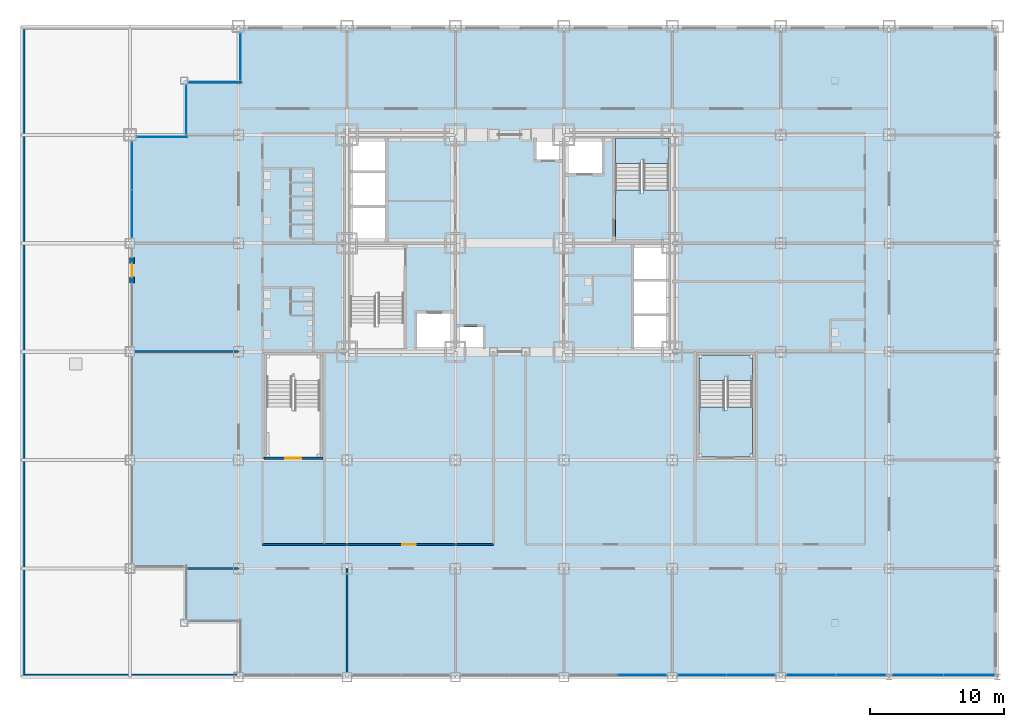
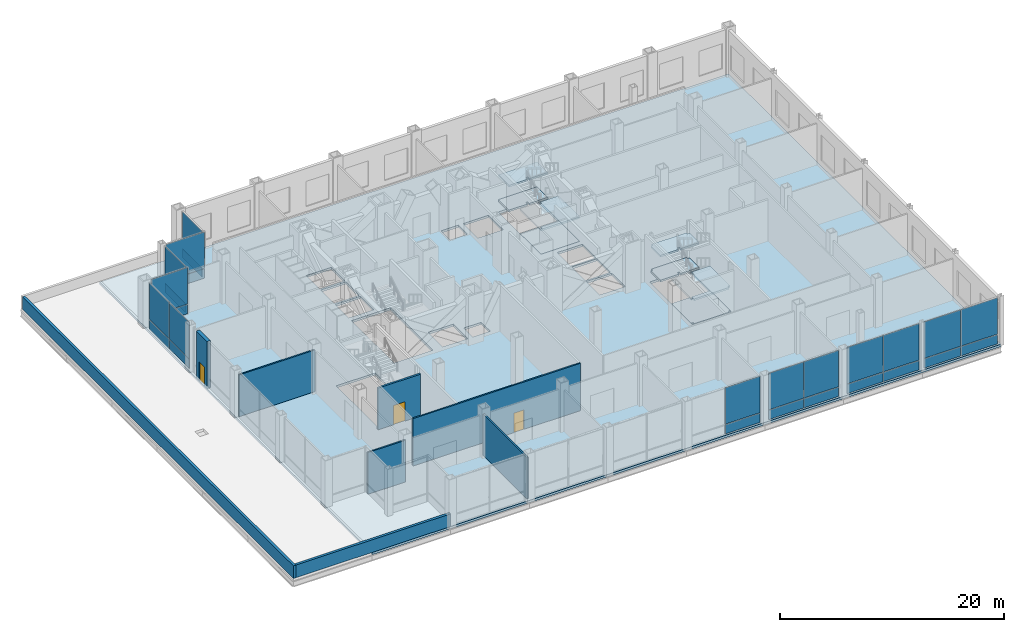
# One storey, part 18 of 26: 26 plates, 9 slabs, 8 walls, 3 doors, 3 openings, 11 elements without a shape of their own.
"""IFC4 building model written with IfcOpenShell, lengths in metres."""

from ifc_helpers import new_model, si_unit, direction, frame, frame_2d, origin, origin_2d, place, context, subcontext, project, spatial, polyline, rectangle, outline, extrude, material, layer, layer_set, type_object, element, fill, aggregate, save


model = new_model("IFC4")

# Units and contexts
model_context = context("Model", 3, precision=1e-05, world=origin(), true_north=direction((0.0, 1.0)))
body_context = subcontext(model_context, "Body", "Model", "MODEL_VIEW")
ifc_project = project(units=[si_unit("LENGTHUNIT", "METRE"), si_unit("AREAUNIT", "SQUARE_METRE"), si_unit("VOLUMEUNIT", "CUBIC_METRE"), si_unit("PLANEANGLEUNIT", "RADIAN"), si_unit("MASSUNIT", "GRAM", prefix="KILO")], contexts=[model_context])

# Site, building, storey
site_placement = place(None, origin())
site = spatial("IfcSite", under=ifc_project, at=site_placement, CompositionType="ELEMENT")
building_placement = place(site_placement, origin())
building = spatial("IfcBuilding", under=site, at=building_placement, Name="Kopane Lantern Tower", CompositionType="ELEMENT")
storey_placement = place(building_placement, frame((0.0, 0.0, 16.800048828125)))
storey = spatial("IfcBuildingStorey", under=building, at=storey_placement, Name="L03", CompositionType="ELEMENT", Elevation=16.800048828125)

# Curtain wall, plates
ifc_material_1 = material(Name="Aluminium and clear glass", Category="aluminium")
curtain_wall_type = type_object("IfcCurtainWallType", Name="CURTAIN WALL CW2 PODIUM UPPER", PredefinedType="USERDEFINED", material=ifc_material_1)
curtain_wall_1_placement = place(storey_placement, origin())
curtain_wall_1 = element("IfcCurtainWall", 1, at=curtain_wall_1_placement, inside=storey, type_object=curtain_wall_type, Name="Curtain wall CW2 S L03", ObjectType="CURTAIN WALL", PredefinedType="USERDEFINED")
ifc_material_2 = material(Name="Insulated clear glass unit", Category="glass")
ifc_layer_1 = layer(ifc_material_2, 0.030029296875)
ifc_layer_set_1 = layer_set([ifc_layer_1], Name="CURTAIN PANEL CW2-P 30")
plate_type = type_object("IfcPlateType", Name="CURTAIN PANEL CW2-P 30", PredefinedType="CURTAIN_PANEL", material=ifc_layer_set_1)
plate_1_placement = place(storey_placement, frame((38.27001953125, 0.14990234375, 0.06005859375), z_axis=(0.0, 0.0, 1.0), x_axis=(1.0, 0.0, 0.0)))
plate_1 = element("IfcPlate", 2, at=plate_1_placement, type_object=plate_type, Name="CW2 panel 2.1", PredefinedType="CURTAIN_PANEL", context=body_context, shape_type="SweptSolid", body=[
    extrude(rectangle(XDim=3.580078125, YDim=0.030029296875, at=origin_2d()), origin(), (0.0, 0.0, 1.0), 1.010009765625),
])
plate_2_placement = place(storey_placement, frame((38.27001953125, 0.14990234375, 1.1298828125), z_axis=(0.0, 0.0, 1.0), x_axis=(1.0, 0.0, 0.0)))
plate_2 = element("IfcPlate", 3, at=plate_2_placement, type_object=plate_type, Name="CW2 panel 2.2", PredefinedType="CURTAIN_PANEL", context=body_context, shape_type="SweptSolid", body=[
    extrude(rectangle(XDim=3.580078125, YDim=0.030029296875, at=origin_2d()), origin(), (0.0, 0.0, 1.0), 3.9599609375),
])
aggregate(curtain_wall_1, [plate_1, plate_2])

curtain_wall_2_placement = place(storey_placement, origin())
curtain_wall_2 = element("IfcCurtainWall", 4, at=curtain_wall_2_placement, inside=storey, type_object=curtain_wall_type, Name="Curtain wall CW2 S L03", ObjectType="CURTAIN WALL", PredefinedType="USERDEFINED")
plate_3_placement = place(storey_placement, frame((42.72998046875, 0.14990234375, 0.06005859375), z_axis=(0.0, 0.0, 1.0), x_axis=(1.0, 0.0, 0.0)))
plate_3 = element("IfcPlate", 5, at=plate_3_placement, type_object=plate_type, Name="CW2 panel 1.1", PredefinedType="CURTAIN_PANEL", context=body_context, shape_type="SweptSolid", body=[
    extrude(rectangle(XDim=3.580078125, YDim=0.030029296875, at=origin_2d()), origin(), (0.0, 0.0, 1.0), 1.010009765625),
])
plate_4_placement = place(storey_placement, frame((42.72998046875, 0.14990234375, 1.1298828125), z_axis=(0.0, 0.0, 1.0), x_axis=(1.0, 0.0, 0.0)))
plate_4 = element("IfcPlate", 6, at=plate_4_placement, type_object=plate_type, Name="CW2 panel 1.2", PredefinedType="CURTAIN_PANEL", context=body_context, shape_type="SweptSolid", body=[
    extrude(rectangle(XDim=3.580078125, YDim=0.030029296875, at=origin_2d()), origin(), (0.0, 0.0, 1.0), 3.9599609375),
])
plate_5_placement = place(storey_placement, frame((46.3701171875, 0.14990234375, 0.06005859375), z_axis=(0.0, 0.0, 1.0), x_axis=(1.0, 0.0, 0.0)))
plate_5 = element("IfcPlate", 7, at=plate_5_placement, type_object=plate_type, Name="CW2 panel 2.1", PredefinedType="CURTAIN_PANEL", context=body_context, shape_type="SweptSolid", body=[
    extrude(rectangle(XDim=3.580078125, YDim=0.030029296875, at=origin_2d()), origin(), (0.0, 0.0, 1.0), 1.010009765625),
])
plate_6_placement = place(storey_placement, frame((46.3701171875, 0.14990234375, 1.1298828125), z_axis=(0.0, 0.0, 1.0), x_axis=(1.0, 0.0, 0.0)))
plate_6 = element("IfcPlate", 8, at=plate_6_placement, type_object=plate_type, Name="CW2 panel 2.2", PredefinedType="CURTAIN_PANEL", context=body_context, shape_type="SweptSolid", body=[
    extrude(rectangle(XDim=3.580078125, YDim=0.030029296875, at=origin_2d()), origin(), (0.0, 0.0, 1.0), 3.9599609375),
])
aggregate(curtain_wall_2, [plate_3, plate_4, plate_5, plate_6])

curtain_wall_3_placement = place(storey_placement, origin())
curtain_wall_3 = element("IfcCurtainWall", 9, at=curtain_wall_3_placement, inside=storey, type_object=curtain_wall_type, Name="Curtain wall CW2 S L03", ObjectType="CURTAIN WALL", PredefinedType="USERDEFINED")
plate_7_placement = place(storey_placement, frame((50.873291015625, 0.14990234375, 0.06005859375), z_axis=(0.0, 0.0, 1.0), x_axis=(1.0, 0.0, 0.0)))
plate_7 = element("IfcPlate", 10, at=plate_7_placement, type_object=plate_type, Name="CW2 panel 1.1", PredefinedType="CURTAIN_PANEL", context=body_context, shape_type="SweptSolid", body=[
    extrude(rectangle(XDim=3.666748046875, YDim=0.030029296875, at=origin_2d()), origin(), (0.0, 0.0, 1.0), 1.010009765625),
])
plate_8_placement = place(storey_placement, frame((50.873291015625, 0.14990234375, 1.1298828125), z_axis=(0.0, 0.0, 1.0), x_axis=(1.0, 0.0, 0.0)))
plate_8 = element("IfcPlate", 11, at=plate_8_placement, type_object=plate_type, Name="CW2 panel 1.2", PredefinedType="CURTAIN_PANEL", context=body_context, shape_type="SweptSolid", body=[
    extrude(rectangle(XDim=3.666748046875, YDim=0.030029296875, at=origin_2d()), origin(), (0.0, 0.0, 1.0), 3.9599609375),
])
plate_9_placement = place(storey_placement, frame((54.60009765625, 0.14990234375, 0.06005859375), z_axis=(0.0, 0.0, 1.0), x_axis=(1.0, 0.0, 0.0)))
plate_9 = element("IfcPlate", 12, at=plate_9_placement, type_object=plate_type, Name="CW2 panel 2.1", PredefinedType="CURTAIN_PANEL", context=body_context, shape_type="SweptSolid", body=[
    extrude(rectangle(XDim=3.666748046875, YDim=0.030029296875, at=origin_2d()), origin(), (0.0, 0.0, 1.0), 1.010009765625),
])
plate_10_placement = place(storey_placement, frame((54.60009765625, 0.14990234375, 1.1298828125), z_axis=(0.0, 0.0, 1.0), x_axis=(1.0, 0.0, 0.0)))
plate_10 = element("IfcPlate", 13, at=plate_10_placement, type_object=plate_type, Name="CW2 panel 2.2", PredefinedType="CURTAIN_PANEL", context=body_context, shape_type="SweptSolid", body=[
    extrude(rectangle(XDim=3.666748046875, YDim=0.030029296875, at=origin_2d()), origin(), (0.0, 0.0, 1.0), 3.9599609375),
])
aggregate(curtain_wall_3, [plate_7, plate_8, plate_9, plate_10])

curtain_wall_4_placement = place(storey_placement, origin())
curtain_wall_4 = element("IfcCurtainWall", 14, at=curtain_wall_4_placement, inside=storey, type_object=curtain_wall_type, Name="Curtain wall CW2 S L03", ObjectType="CURTAIN WALL", PredefinedType="USERDEFINED")
plate_11_placement = place(storey_placement, frame((58.84326171875, 0.14990234375, 0.06005859375), z_axis=(0.0, 0.0, 1.0), x_axis=(1.0, 0.0, 0.0)))
plate_11 = element("IfcPlate", 15, at=plate_11_placement, type_object=plate_type, Name="CW2 panel 1.1", PredefinedType="CURTAIN_PANEL", context=body_context, shape_type="SweptSolid", body=[
    extrude(rectangle(XDim=3.75341796875, YDim=0.030029296875, at=origin_2d()), origin(), (0.0, 0.0, 1.0), 1.010009765625),
])
plate_12_placement = place(storey_placement, frame((58.84326171875, 0.14990234375, 1.1298828125), z_axis=(0.0, 0.0, 1.0), x_axis=(1.0, 0.0, 0.0)))
plate_12 = element("IfcPlate", 16, at=plate_12_placement, type_object=plate_type, Name="CW2 panel 1.2", PredefinedType="CURTAIN_PANEL", context=body_context, shape_type="SweptSolid", body=[
    extrude(rectangle(XDim=3.75341796875, YDim=0.030029296875, at=origin_2d()), origin(), (0.0, 0.0, 1.0), 3.9599609375),
])
plate_13_placement = place(storey_placement, frame((62.65673828125, 0.14990234375, 0.06005859375), z_axis=(0.0, 0.0, 1.0), x_axis=(1.0, 0.0, 0.0)))
plate_13 = element("IfcPlate", 17, at=plate_13_placement, type_object=plate_type, Name="CW2 panel 2.1", PredefinedType="CURTAIN_PANEL", context=body_context, shape_type="SweptSolid", body=[
    extrude(rectangle(XDim=3.75341796875, YDim=0.030029296875, at=origin_2d()), origin(), (0.0, 0.0, 1.0), 1.010009765625),
])
plate_14_placement = place(storey_placement, frame((62.65673828125, 0.14990234375, 1.1298828125), z_axis=(0.0, 0.0, 1.0), x_axis=(1.0, 0.0, 0.0)))
plate_14 = element("IfcPlate", 18, at=plate_14_placement, type_object=plate_type, Name="CW2 panel 2.2", PredefinedType="CURTAIN_PANEL", context=body_context, shape_type="SweptSolid", body=[
    extrude(rectangle(XDim=3.75341796875, YDim=0.030029296875, at=origin_2d()), origin(), (0.0, 0.0, 1.0), 3.9599609375),
])
aggregate(curtain_wall_4, [plate_11, plate_12, plate_13, plate_14])

curtain_wall_5_placement = place(storey_placement, origin())
curtain_wall_5 = element("IfcCurtainWall", 19, at=curtain_wall_5_placement, inside=storey, type_object=curtain_wall_type, Name="Curtain wall CW2 W L03", ObjectType="CURTAIN WALL", PredefinedType="USERDEFINED")
plate_15_placement = place(storey_placement, frame((8.25, 46.3349609375, 0.06005859375), z_axis=(0.0, 0.0, 1.0), x_axis=(0.0, -1.0, 0.0)))
plate_15 = element("IfcPlate", 20, at=plate_15_placement, type_object=plate_type, Name="CW2 panel 1.1", PredefinedType="CURTAIN_PANEL", context=body_context, shape_type="SweptSolid", body=[
    extrude(rectangle(XDim=3.449951171875, YDim=0.030029296875, at=origin_2d()), origin(), (0.0, 0.0, 1.0), 1.010009765625),
])
plate_16_placement = place(storey_placement, frame((8.25, 46.3349609375, 1.1298828125), z_axis=(0.0, 0.0, 1.0), x_axis=(0.0, -1.0, 0.0)))
plate_16 = element("IfcPlate", 21, at=plate_16_placement, type_object=plate_type, Name="CW2 panel 1.2", PredefinedType="CURTAIN_PANEL", context=body_context, shape_type="SweptSolid", body=[
    extrude(rectangle(XDim=3.449951171875, YDim=0.030029296875, at=origin_2d()), origin(), (0.0, 0.0, 1.0), 3.9599609375),
])
aggregate(curtain_wall_5, [plate_15, plate_16])

curtain_wall_6_placement = place(storey_placement, origin())
curtain_wall_6 = element("IfcCurtainWall", 22, at=curtain_wall_6_placement, inside=storey, type_object=curtain_wall_type, Name="Curtain wall CW2 N L03", ObjectType="CURTAIN WALL", PredefinedType="USERDEFINED")
plate_17_placement = place(storey_placement, frame((6.364990234375, 44.39990234375, 0.06005859375), z_axis=(0.0, 0.0, 1.0), x_axis=(-1.0, 0.0, 0.0)))
plate_17 = element("IfcPlate", 23, at=plate_17_placement, type_object=plate_type, Name="CW2 panel 1.1", PredefinedType="CURTAIN_PANEL", context=body_context, shape_type="SweptSolid", body=[
    extrude(rectangle(XDim=3.949951171875, YDim=0.030029296875, at=origin_2d()), origin(), (0.0, 0.0, 1.0), 1.010009765625),
])
plate_18_placement = place(storey_placement, frame((6.364990234375, 44.39990234375, 1.1298828125), z_axis=(0.0, 0.0, 1.0), x_axis=(-1.0, 0.0, 0.0)))
plate_18 = element("IfcPlate", 24, at=plate_18_placement, type_object=plate_type, Name="CW2 panel 1.2", PredefinedType="CURTAIN_PANEL", context=body_context, shape_type="SweptSolid", body=[
    extrude(rectangle(XDim=3.949951171875, YDim=0.030029296875, at=origin_2d()), origin(), (0.0, 0.0, 1.0), 3.9599609375),
])
aggregate(curtain_wall_6, [plate_17, plate_18])

curtain_wall_7_placement = place(storey_placement, origin())
curtain_wall_7 = element("IfcCurtainWall", 25, at=curtain_wall_7_placement, inside=storey, type_object=curtain_wall_type, Name="Curtain wall CW2 W L03", ObjectType="CURTAIN WALL", PredefinedType="USERDEFINED")
plate_19_placement = place(storey_placement, frame((4.199951171875, 42.375, 0.06005859375), z_axis=(0.0, 0.0, 1.0), x_axis=(0.0, -1.0, 0.0)))
plate_19 = element("IfcPlate", 26, at=plate_19_placement, type_object=plate_type, Name="CW2 panel 1.1", PredefinedType="CURTAIN_PANEL", context=body_context, shape_type="SweptSolid", body=[
    extrude(rectangle(XDim=3.6298828125, YDim=0.030029296875, at=origin_2d()), origin(), (0.0, 0.0, 1.0), 1.010009765625),
])
plate_20_placement = place(storey_placement, frame((4.199951171875, 42.375, 1.1298828125), z_axis=(0.0, 0.0, 1.0), x_axis=(0.0, -1.0, 0.0)))
plate_20 = element("IfcPlate", 27, at=plate_20_placement, type_object=plate_type, Name="CW2 panel 1.2", PredefinedType="CURTAIN_PANEL", context=body_context, shape_type="SweptSolid", body=[
    extrude(rectangle(XDim=3.6298828125, YDim=0.030029296875, at=origin_2d()), origin(), (0.0, 0.0, 1.0), 3.9599609375),
])
aggregate(curtain_wall_7, [plate_19, plate_20])

curtain_wall_8_placement = place(storey_placement, origin())
curtain_wall_8 = element("IfcCurtainWall", 28, at=curtain_wall_8_placement, inside=storey, type_object=curtain_wall_type, Name="Curtain wall CW2 N L03", ObjectType="CURTAIN WALL", PredefinedType="USERDEFINED")
plate_21_placement = place(storey_placement, frame((2.4150390625, 40.35009765625, 0.06005859375), z_axis=(0.0, 0.0, 1.0), x_axis=(-1.0, 0.0, 0.0)))
plate_21 = element("IfcPlate", 29, at=plate_21_placement, type_object=plate_type, Name="CW2 panel 1.1", PredefinedType="CURTAIN_PANEL", context=body_context, shape_type="SweptSolid", body=[
    extrude(rectangle(XDim=3.75, YDim=0.030029296875, at=origin_2d()), origin(), (0.0, 0.0, 1.0), 1.010009765625),
])
plate_22_placement = place(storey_placement, frame((2.4150390625, 40.35009765625, 1.1298828125), z_axis=(0.0, 0.0, 1.0), x_axis=(-1.0, 0.0, 0.0)))
plate_22 = element("IfcPlate", 30, at=plate_22_placement, type_object=plate_type, Name="CW2 panel 1.2", PredefinedType="CURTAIN_PANEL", context=body_context, shape_type="SweptSolid", body=[
    extrude(rectangle(XDim=3.75, YDim=0.030029296875, at=origin_2d()), origin(), (0.0, 0.0, 1.0), 3.9599609375),
])
aggregate(curtain_wall_8, [plate_21, plate_22])

curtain_wall_9_placement = place(storey_placement, origin())
curtain_wall_9 = element("IfcCurtainWall", 31, at=curtain_wall_9_placement, inside=storey, type_object=curtain_wall_type, Name="Curtain wall CW2 W L03", ObjectType="CURTAIN WALL", PredefinedType="USERDEFINED")
plate_23_placement = place(storey_placement, frame((0.14990234375, 38.195068359375, 0.06005859375), z_axis=(0.0, 0.0, 1.0), x_axis=(0.0, -1.0, 0.0)))
plate_23 = element("IfcPlate", 32, at=plate_23_placement, type_object=plate_type, Name="CW2 panel 1.1", PredefinedType="CURTAIN_PANEL", context=body_context, shape_type="SweptSolid", body=[
    extrude(rectangle(XDim=3.530029296875, YDim=0.030029296875, at=origin_2d()), origin(), (0.0, 0.0, 1.0), 1.010009765625),
])
plate_24_placement = place(storey_placement, frame((0.14990234375, 38.195068359375, 1.1298828125), z_axis=(0.0, 0.0, 1.0), x_axis=(0.0, -1.0, 0.0)))
plate_24 = element("IfcPlate", 33, at=plate_24_placement, type_object=plate_type, Name="CW2 panel 1.2", PredefinedType="CURTAIN_PANEL", context=body_context, shape_type="SweptSolid", body=[
    extrude(rectangle(XDim=3.530029296875, YDim=0.030029296875, at=origin_2d()), origin(), (0.0, 0.0, 1.0), 3.9599609375),
])
plate_25_placement = place(storey_placement, frame((0.14990234375, 34.60498046875, 0.06005859375), z_axis=(0.0, 0.0, 1.0), x_axis=(0.0, -1.0, 0.0)))
plate_25 = element("IfcPlate", 34, at=plate_25_placement, type_object=plate_type, Name="CW2 panel 2.1", PredefinedType="CURTAIN_PANEL", context=body_context, shape_type="SweptSolid", body=[
    extrude(rectangle(XDim=3.530029296875, YDim=0.030029296875, at=origin_2d()), origin(), (0.0, 0.0, 1.0), 1.010009765625),
])
plate_26_placement = place(storey_placement, frame((0.14990234375, 34.60498046875, 1.1298828125), z_axis=(0.0, 0.0, 1.0), x_axis=(0.0, -1.0, 0.0)))
plate_26 = element("IfcPlate", 35, at=plate_26_placement, type_object=plate_type, Name="CW2 panel 2.2", PredefinedType="CURTAIN_PANEL", context=body_context, shape_type="SweptSolid", body=[
    extrude(rectangle(XDim=3.530029296875, YDim=0.030029296875, at=origin_2d()), origin(), (0.0, 0.0, 1.0), 3.9599609375),
])
aggregate(curtain_wall_9, [plate_23, plate_24, plate_25, plate_26])

# Slab
ifc_material_3 = material(Name="Concrete C40/50", Category="concrete")
ifc_layer_2 = layer(ifc_material_3, 0.25)
ifc_layer_set_2 = layer_set([ifc_layer_2], Name="SLAB 250 COMPOSITE")
slab_type_1 = type_object("IfcSlabType", Name="SLAB 250 COMPOSITE", PredefinedType="FLOOR", material=ifc_layer_set_2)
slab_1_placement = place(storey_placement, frame((0.0, 0.0, -0.25)))
element("IfcSlab", 36, at=slab_1_placement, inside=storey, type_object=slab_type_1, Name="Floor slab L03", PredefinedType="FLOOR", context=body_context, shape_type="SweptSolid", body=[
    extrude(outline(polyline([(64.800048828125, 0.0), (64.800048828125, 48.60009765625), (0.0, 48.60009765625), (0.0, 0.0), (64.800048828125, 0.0)]), holes=[polyline([(16.449951171875, 24.550048828125), (20.449951171875, 24.550048828125), (20.449951171875, 32.14990234375), (16.449951171875, 32.14990234375), (16.449951171875, 24.550048828125)]), polyline([(36.25, 32.64990234375), (40.25, 32.64990234375), (40.25, 40.25), (36.25, 40.25), (36.25, 32.64990234375)]), polyline([(16.449951171875, 32.64990234375), (19.050048828125, 32.64990234375), (19.050048828125, 35.050048828125), (16.449951171875, 35.050048828125), (16.449951171875, 32.64990234375)]), polyline([(16.449951171875, 35.25), (19.050048828125, 35.25), (19.050048828125, 37.64990234375), (16.449951171875, 37.64990234375), (16.449951171875, 35.25)]), polyline([(16.449951171875, 37.85009765625), (19.050048828125, 37.85009765625), (19.050048828125, 40.25), (16.449951171875, 40.25), (16.449951171875, 37.85009765625)]), polyline([(37.64990234375, 24.550048828125), (40.25, 24.550048828125), (40.25, 26.949951171875), (37.64990234375, 26.949951171875), (37.64990234375, 24.550048828125)]), polyline([(37.64990234375, 27.14990234375), (40.25, 27.14990234375), (40.25, 29.550048828125), (37.64990234375, 29.550048828125), (37.64990234375, 27.14990234375)]), polyline([(37.64990234375, 29.75), (40.25, 29.75), (40.25, 32.14990234375), (37.64990234375, 32.14990234375), (37.64990234375, 29.75)]), polyline([(21.449951171875, 24.550048828125), (24.050048828125, 24.550048828125), (24.050048828125, 27.14990234375), (21.449951171875, 27.14990234375), (21.449951171875, 24.550048828125)]), polyline([(32.64990234375, 37.64990234375), (35.25, 37.64990234375), (35.25, 40.25), (32.64990234375, 40.25), (32.64990234375, 37.64990234375)]), polyline([(24.550048828125, 24.550048828125), (26.35009765625, 24.550048828125), (26.35009765625, 26.14990234375), (24.550048828125, 26.14990234375), (24.550048828125, 24.550048828125)]), polyline([(30.35009765625, 38.64990234375), (32.14990234375, 38.64990234375), (32.14990234375, 40.25), (30.35009765625, 40.25), (30.35009765625, 38.64990234375)]), polyline([(10.199951171875, 16.449951171875), (14.199951171875, 16.449951171875), (14.199951171875, 24.050048828125), (10.199951171875, 24.050048828125), (10.199951171875, 16.449951171875)]), polyline([(42.5, 16.449951171875), (46.5, 16.449951171875), (46.5, 24.050048828125), (42.5, 24.050048828125), (42.5, 16.449951171875)])]), origin(), (0.0, 0.0, 1.0), 0.25),
])

# Stair, slabs
ifc_material_4 = material(Name="Steel S355JR", Category="steel")
stair_type = type_object("IfcStairType", Name="EXIT STAIR 1900 HALF TURN", PredefinedType="HALF_TURN_STAIR", material=ifc_material_4)
stair_1_placement = place(storey_placement, origin())
stair_1 = element("IfcStair", 37, at=stair_1_placement, inside=storey, type_object=stair_type, Name="Exit stair ST2 L03", PredefinedType="HALF_TURN_STAIR")
ifc_material_5 = material(Name="Concrete C40/50", Category="concrete")
ifc_layer_3 = layer(ifc_material_5, 0.199951171875)
ifc_layer_set_3 = layer_set([ifc_layer_3], Name="STAIR LANDING 200")
slab_type_2 = type_object("IfcSlabType", Name="STAIR LANDING 200", PredefinedType="LANDING", material=ifc_layer_set_3)
slab_2_placement = place(storey_placement, frame((0.0, 0.0, -0.199951171875)))
slab_2 = element("IfcSlab", 38, at=slab_2_placement, type_object=slab_type_2, Name="ST2 landing 1", PredefinedType="LANDING", context=body_context, shape_type="SweptSolid", body=[
    extrude(outline(polyline([(40.25, 36.389892578125), (38.35009765625, 36.389892578125), (38.35009765625, 36.110107421875), (38.14990234375, 36.110107421875), (38.14990234375, 36.389892578125), (36.25, 36.389892578125), (36.25, 32.64990234375), (40.25, 32.64990234375), (40.25, 36.389892578125)])), origin(), (0.0, 0.0, 1.0), 0.199951171875),
])
slab_3_placement = place(storey_placement, frame((0.0, 0.0, 1.14990234375)))
slab_3 = element("IfcSlab", 39, at=slab_3_placement, type_object=slab_type_2, Name="ST2 landing 2", PredefinedType="LANDING", context=body_context, shape_type="SweptSolid", body=[
    extrude(outline(polyline([(38.14990234375, 38.6298828125), (38.35009765625, 38.6298828125), (38.35009765625, 38.35009765625), (40.25, 38.35009765625), (40.25, 40.25), (36.25, 40.25), (36.25, 38.35009765625), (38.14990234375, 38.35009765625), (38.14990234375, 38.6298828125)])), origin(), (0.0, 0.0, 1.0), 0.199951171875),
])
slab_4_placement = place(storey_placement, frame((0.0, 0.0, 2.5)))
slab_4 = element("IfcSlab", 40, at=slab_4_placement, type_object=slab_type_2, Name="ST2 landing 3", PredefinedType="LANDING", context=body_context, shape_type="SweptSolid", body=[
    extrude(outline(polyline([(40.25, 36.389892578125), (38.35009765625, 36.389892578125), (38.35009765625, 36.110107421875), (38.14990234375, 36.110107421875), (38.14990234375, 36.389892578125), (36.25, 36.389892578125), (36.25, 32.64990234375), (40.25, 32.64990234375), (40.25, 36.389892578125)])), origin(), (0.0, 0.0, 1.0), 0.199951171875),
])
slab_5_placement = place(storey_placement, frame((0.0, 0.0, 3.849853515625)))
slab_5 = element("IfcSlab", 41, at=slab_5_placement, type_object=slab_type_2, Name="ST2 landing 4", PredefinedType="LANDING", context=body_context, shape_type="SweptSolid", body=[
    extrude(outline(polyline([(38.14990234375, 38.6298828125), (38.35009765625, 38.6298828125), (38.35009765625, 38.35009765625), (40.25, 38.35009765625), (40.25, 40.25), (36.25, 40.25), (36.25, 38.35009765625), (38.14990234375, 38.35009765625), (38.14990234375, 38.6298828125)])), origin(), (0.0, 0.0, 1.0), 0.2001953125),
])
aggregate(stair_1, [slab_2, slab_3, slab_4, slab_5])

stair_2_placement = place(storey_placement, origin())
stair_2 = element("IfcStair", 42, at=stair_2_placement, inside=storey, type_object=stair_type, Name="Exit stair ST4 L03", PredefinedType="HALF_TURN_STAIR")
slab_6_placement = place(storey_placement, frame((0.0, 0.0, -0.199951171875)))
slab_6 = element("IfcSlab", 43, at=slab_6_placement, type_object=slab_type_2, Name="ST4 landing 1", PredefinedType="LANDING", context=body_context, shape_type="SweptSolid", body=[
    extrude(outline(polyline([(42.699951171875, 16.64990234375), (42.699951171875, 16.449951171875), (46.300048828125, 16.449951171875), (46.300048828125, 16.64990234375), (46.5, 16.64990234375), (46.5, 20.18994140625), (44.60009765625, 20.18994140625), (44.60009765625, 19.909912109375), (44.39990234375, 19.909912109375), (44.39990234375, 20.18994140625), (42.5, 20.18994140625), (42.5, 16.64990234375), (42.699951171875, 16.64990234375)])), origin(), (0.0, 0.0, 1.0), 0.199951171875),
])
slab_7_placement = place(storey_placement, frame((0.0, 0.0, 1.14990234375)))
slab_7 = element("IfcSlab", 44, at=slab_7_placement, type_object=slab_type_2, Name="ST4 landing 2", PredefinedType="LANDING", context=body_context, shape_type="SweptSolid", body=[
    extrude(outline(polyline([(42.699951171875, 23.85009765625), (42.5, 23.85009765625), (42.5, 22.14990234375), (44.39990234375, 22.14990234375), (44.39990234375, 22.429931640625), (44.60009765625, 22.429931640625), (44.60009765625, 22.14990234375), (46.5, 22.14990234375), (46.5, 23.85009765625), (46.300048828125, 23.85009765625), (46.300048828125, 24.050048828125), (42.699951171875, 24.050048828125), (42.699951171875, 23.85009765625)])), origin(), (0.0, 0.0, 1.0), 0.199951171875),
])
slab_8_placement = place(storey_placement, frame((0.0, 0.0, 2.5)))
slab_8 = element("IfcSlab", 45, at=slab_8_placement, type_object=slab_type_2, Name="ST4 landing 3", PredefinedType="LANDING", context=body_context, shape_type="SweptSolid", body=[
    extrude(outline(polyline([(42.699951171875, 16.64990234375), (42.699951171875, 16.449951171875), (46.300048828125, 16.449951171875), (46.300048828125, 16.64990234375), (46.5, 16.64990234375), (46.5, 20.18994140625), (44.60009765625, 20.18994140625), (44.60009765625, 19.909912109375), (44.39990234375, 19.909912109375), (44.39990234375, 20.18994140625), (42.5, 20.18994140625), (42.5, 16.64990234375), (42.699951171875, 16.64990234375)])), origin(), (0.0, 0.0, 1.0), 0.199951171875),
])
slab_9_placement = place(storey_placement, frame((0.0, 0.0, 3.849853515625)))
slab_9 = element("IfcSlab", 46, at=slab_9_placement, type_object=slab_type_2, Name="ST4 landing 4", PredefinedType="LANDING", context=body_context, shape_type="SweptSolid", body=[
    extrude(outline(polyline([(42.699951171875, 23.85009765625), (42.5, 23.85009765625), (42.5, 22.14990234375), (44.39990234375, 22.14990234375), (44.39990234375, 22.429931640625), (44.60009765625, 22.429931640625), (44.60009765625, 22.14990234375), (46.5, 22.14990234375), (46.5, 23.85009765625), (46.300048828125, 23.85009765625), (46.300048828125, 24.050048828125), (42.699951171875, 24.050048828125), (42.699951171875, 23.85009765625)])), origin(), (0.0, 0.0, 1.0), 0.2001953125),
])
aggregate(stair_2, [slab_6, slab_7, slab_8, slab_9])

# Wall, opening, door
ifc_material_6 = material(Name="Gypsum board on steel studs", Category="steel")
ifc_layer_4 = layer(ifc_material_6, 0.14990234375)
ifc_layer_set_4 = layer_set([ifc_layer_4], Name="CORRIDOR WALL 150 EI 60")
wall_type_1 = type_object("IfcWallType", Name="CORRIDOR WALL 150 EI 60", PredefinedType="PARTITIONING", material=ifc_layer_set_4)
wall_1_placement = place(storey_placement, frame((9.89990234375, 9.89990234375, 0.0), z_axis=(0.0, 0.0, 1.0), x_axis=(1.0, 0.0, 0.0)))
wall_1 = element("IfcWall", 47, at=wall_1_placement, inside=storey, type_object=wall_type_1, Name="Corridor Wall 150 Ei 60 L03", PredefinedType="PARTITIONING", context=body_context, shape_type="SweptSolid", body=[
    extrude(rectangle(XDim=17.239990234375, YDim=0.14990234375, at=frame_2d((8.6201171875, 0.0))), origin(), (0.0, 0.0, 1.0), 5.14990234375),
])
opening_1_placement = place(wall_1_placement, frame((10.425048828125, 0.0, 0.0)))
opening_1 = element("IfcOpeningElement", 48, at=opening_1_placement, cuts=wall_1, Name="Opening L03-010", PredefinedType="OPENING", context=body_context, shape_type="SweptSolid", body=[
    extrude(rectangle(XDim=1.0, YDim=2.10009765625, at=frame_2d((0.5, 1.050048828125))), frame((0.0, 0.0849609375, 0.0), z_axis=(0.0, -1.0, 0.0), x_axis=(1.0, 0.0, 0.0)), (0.0, 0.0, 1.0), 0.169921875),
])
ifc_material_7 = material(Name="Steel door set", Category="steel")
door_type_1 = type_object("IfcDoorType", Name="DOOR D5 1000x2100 FD60", OperationType="SINGLE_SWING_LEFT", PredefinedType="DOOR", material=ifc_material_7)
door_1_placement = place(opening_1_placement, origin())
door_1 = element("IfcDoor", 49, at=door_1_placement, inside=storey, type_object=door_type_1, Name="Door L03-010", OperationType="SINGLE_SWING_LEFT", OverallHeight=2.10009765625, OverallWidth=1.0, PredefinedType="DOOR", context=body_context, shape_type="SweptSolid", body=[
    extrude(rectangle(XDim=1.0, YDim=2.10009765625, at=frame_2d((0.5, 1.050048828125))), frame((0.0, 0.02490234375, 0.0), z_axis=(0.0, -1.0, 0.0), x_axis=(1.0, 0.0, 0.0)), (0.0, 0.0, 1.0), 0.050048828125),
])
fill(opening_1, door_1)

# Walls
ifc_material_8 = material(Name="Gypsum board on steel studs", Category="steel")
ifc_layer_5 = layer(ifc_material_8, 0.14990234375)
ifc_layer_set_5 = layer_set([ifc_layer_5], Name="DEMISING WALL 150 EI 60")
wall_type_2 = type_object("IfcWallType", Name="DEMISING WALL 150 EI 60", PredefinedType="PARTITIONING", material=ifc_layer_set_5)
wall_2_placement = place(storey_placement, frame((8.10009765625, 24.300048828125, 0.0), z_axis=(0.0, 0.0, 1.0), x_axis=(-1.0, 0.0, 0.0)))
element("IfcWall", 50, at=wall_2_placement, inside=storey, type_object=wall_type_2, Name="Demising Wall 150 Ei 60 L03", PredefinedType="PARTITIONING", context=body_context, shape_type="SweptSolid", body=[
    extrude(rectangle(XDim=7.800048828125, YDim=0.14990234375, at=frame_2d((3.89990234375, 0.0))), origin(), (0.0, 0.0, 1.0), 4.537841796875),
])
wall_3_placement = place(storey_placement, frame((4.218017578125, 8.10009765625, 0.0), z_axis=(0.0, 0.0, 1.0), x_axis=(1.0, 0.0, 0.0)))
element("IfcWall", 51, at=wall_3_placement, inside=storey, type_object=wall_type_2, Name="Demising Wall 150 Ei 60 L03", PredefinedType="PARTITIONING", context=body_context, shape_type="SweptSolid", body=[
    extrude(rectangle(XDim=3.882080078125, YDim=0.14990234375, at=frame_2d((1.94091796875, 0.0))), origin(), (0.0, 0.0, 1.0), 4.537841796875),
])
wall_4_placement = place(storey_placement, frame((16.199951171875, 8.10009765625, 0.0), z_axis=(0.0, 0.0, 1.0), x_axis=(0.0, -1.0, 0.0)))
element("IfcWall", 52, at=wall_4_placement, inside=storey, type_object=wall_type_2, Name="Demising Wall 150 Ei 60 L03", PredefinedType="PARTITIONING", context=body_context, shape_type="SweptSolid", body=[
    extrude(rectangle(XDim=7.800048828125, YDim=0.14990234375, at=frame_2d((3.89990234375, 0.0))), origin(), (0.0, 0.0, 1.0), 4.537841796875),
])

# Wall, opening, door
ifc_material_9 = material(Name="Terracotta rainscreen on light steel framing", Category="masonry")
ifc_layer_6 = layer(ifc_material_9, 0.35009765625)
ifc_layer_set_6 = layer_set([ifc_layer_6], Name="ENTRANCE PIER WALL EW2 300 TERRACOTTA")
wall_type_3 = type_object("IfcWallType", Name="ENTRANCE PIER WALL EW2 300 TERRACOTTA", PredefinedType="SOLIDWALL", material=ifc_layer_set_6)
wall_5_placement = place(storey_placement, frame((0.14990234375, 31.324951171875, 0.0), z_axis=(0.0, 0.0, 1.0), x_axis=(0.0, -1.0, 0.0)))
wall_5 = element("IfcWall", 53, at=wall_5_placement, inside=storey, type_object=wall_type_3, Name="Entrance wall W L03", PredefinedType="SOLIDWALL", context=body_context, shape_type="SweptSolid", body=[
    extrude(rectangle(XDim=1.89990234375, YDim=0.35009765625, at=frame_2d((0.949951171875, 0.0))), origin(), (0.0, 0.0, 1.0), 5.14990234375),
])
opening_2_placement = place(wall_5_placement, frame((0.449951171875, 0.0, 0.0)))
opening_2 = element("IfcOpeningElement", 54, at=opening_2_placement, cuts=wall_5, Name="Opening L03-E01", PredefinedType="OPENING", context=body_context, shape_type="SweptSolid", body=[
    extrude(rectangle(XDim=1.0, YDim=2.10009765625, at=frame_2d((0.5, 1.050048828125))), frame((0.0, 0.18505859375, 0.0), z_axis=(0.0, -1.0, 0.0), x_axis=(1.0, 0.0, 0.0)), (0.0, 0.0, 1.0), 0.3701171875),
])
ifc_material_10 = material(Name="Insulated steel door set", Category="steel")
door_type_2 = type_object("IfcDoorType", Name="ROOF ACCESS DOOR ED1021 1000x2100", OperationType="SINGLE_SWING_LEFT", PredefinedType="DOOR", material=ifc_material_10)
door_2_placement = place(opening_2_placement, origin())
door_2 = element("IfcDoor", 55, at=door_2_placement, inside=storey, type_object=door_type_2, Name="Roof access door L03-E01", OperationType="SINGLE_SWING_RIGHT", OverallHeight=2.10009765625, OverallWidth=1.0, PredefinedType="DOOR", context=body_context, shape_type="SweptSolid", body=[
    extrude(rectangle(XDim=1.0, YDim=2.10009765625, at=frame_2d((0.5, 1.050048828125))), frame((0.0, 0.02490234375, 0.0), z_axis=(0.0, -1.0, 0.0), x_axis=(1.0, 0.0, 0.0)), (0.0, 0.0, 1.0), 0.050048828125),
])
fill(opening_2, door_2)

# Walls
ifc_material_11 = material(Name="Terracotta rainscreen on light steel framing", Category="masonry")
ifc_layer_7 = layer(ifc_material_11, 0.25)
ifc_layer_set_7 = layer_set([ifc_layer_7], Name="PARAPET PW1 250 TERRACOTTA")
wall_type_4 = type_object("IfcWallType", Name="PARAPET PW1 250 TERRACOTTA", PredefinedType="PARAPET", material=ifc_layer_set_7)
wall_6_placement = place(storey_placement, frame((-7.97509765625, 48.35009765625, 0.0), z_axis=(0.0, 0.0, 1.0), x_axis=(0.0, -1.0, 0.0)))
element("IfcWall", 56, at=wall_6_placement, inside=storey, type_object=wall_type_4, Name="Parapet L03", PredefinedType="PARAPET", context=body_context, shape_type="SweptSolid", body=[
    extrude(rectangle(XDim=48.35009765625, YDim=0.25, at=frame_2d((24.175048828125, 0.0))), origin(), (0.0, 0.0, 1.0), 1.3798828125),
])
wall_7_placement = place(storey_placement, frame((-7.85009765625, 0.125, 0.0), z_axis=(0.0, 0.0, 1.0), x_axis=(1.0, 0.0, 0.0)))
element("IfcWall", 57, at=wall_7_placement, inside=storey, type_object=wall_type_4, Name="Parapet L03", PredefinedType="PARAPET", context=body_context, shape_type="SweptSolid", body=[
    extrude(rectangle(XDim=15.9501953125, YDim=0.25, at=frame_2d((7.97509765625, 0.0))), origin(), (0.0, 0.0, 1.0), 1.3798828125),
])

# Wall, opening, door
ifc_material_12 = material(Name="Gypsum shaft wall EI 120", Category="gypsum")
ifc_layer_8 = layer(ifc_material_12, 0.199951171875)
ifc_layer_set_8 = layer_set([ifc_layer_8], Name="SHAFT WALL 200 EI 120")
wall_type_5 = type_object("IfcWallType", Name="SHAFT WALL 200 EI 120", PredefinedType="SOLIDWALL", material=ifc_layer_set_8)
wall_8_placement = place(storey_placement, frame((10.0, 16.35009765625, 0.0), z_axis=(0.0, 0.0, 1.0), x_axis=(1.0, 0.0, 0.0)))
wall_8 = element("IfcWall", 58, at=wall_8_placement, inside=storey, type_object=wall_type_5, Name="Stair enclosure wall ST3 L03", PredefinedType="SOLIDWALL", context=body_context, shape_type="SweptSolid", body=[
    extrude(rectangle(XDim=4.39990234375, YDim=0.199951171875, at=frame_2d((2.199951171875, 0.0))), origin(), (0.0, 0.0, 1.0), 4.537841796875),
])
opening_3_placement = place(wall_8_placement, frame((1.60009765625, 0.0, 0.0)))
opening_3 = element("IfcOpeningElement", 59, at=opening_3_placement, cuts=wall_8, Name="Opening 03.SD3", PredefinedType="OPENING", context=body_context, shape_type="SweptSolid", body=[
    extrude(rectangle(XDim=1.199951171875, YDim=2.10009765625, at=frame_2d((0.60009765625, 1.050048828125))), frame((0.0, 0.10986328125, 0.0), z_axis=(0.0, -1.0, 0.0), x_axis=(1.0, 0.0, 0.0)), (0.0, 0.0, 1.0), 0.219970703125),
])
ifc_material_13 = material(Name="Steel door set", Category="steel")
door_type_3 = type_object("IfcDoorType", Name="STAIR DOOR 1200x2100 FD60S", OperationType="SINGLE_SWING_LEFT", PredefinedType="DOOR", material=ifc_material_13)
door_3_placement = place(opening_3_placement, origin())
door_3 = element("IfcDoor", 60, at=door_3_placement, inside=storey, type_object=door_type_3, Name="Stair door ST3 L03", OperationType="SINGLE_SWING_LEFT", OverallHeight=2.10009765625, OverallWidth=1.199951171875, PredefinedType="DOOR", context=body_context, shape_type="SweptSolid", body=[
    extrude(rectangle(XDim=1.199951171875, YDim=2.10009765625, at=frame_2d((0.60009765625, 1.050048828125))), frame((0.0, 0.02490234375, 0.0), z_axis=(0.0, -1.0, 0.0), x_axis=(1.0, 0.0, 0.0)), (0.0, 0.0, 1.0), 0.050048828125),
])
fill(opening_3, door_3)

save(model, "model.ifc")
